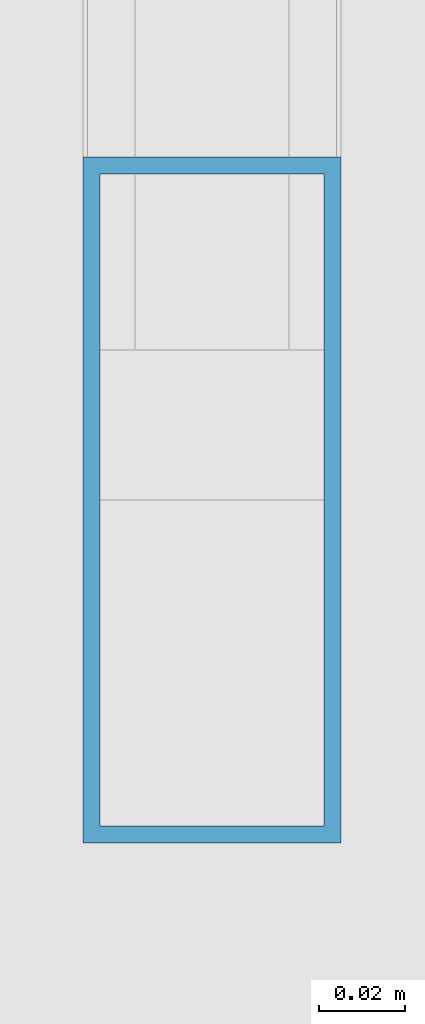
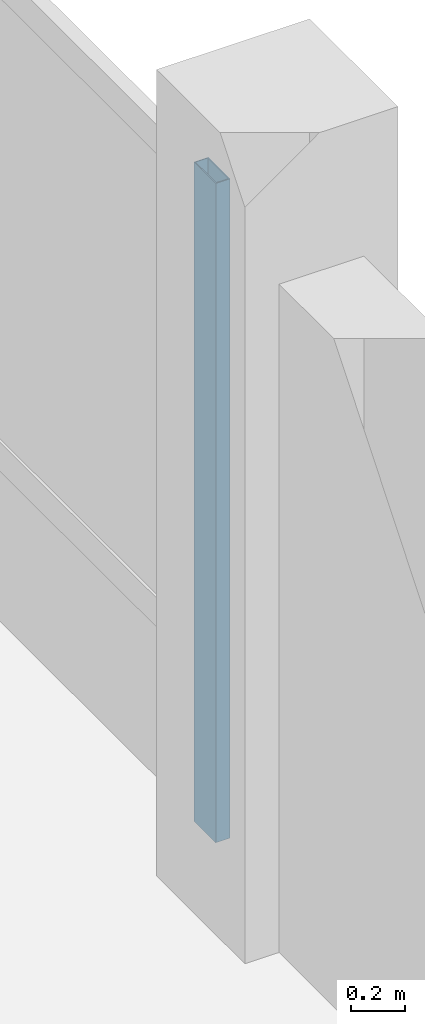
# One storey, part 5 of 93: 1 member, 1 element without a shape of its own.
"""IFC4 building model written with IfcOpenShell, lengths in metres."""

from ifc_helpers import new_model, si_unit, direction, frame, origin, origin_2d, place, context, subcontext, project, spatial, hollow_rectangle, extrude, material, material_profile, profile_set, type_object, element, aggregate, save


model = new_model("IFC4")

# Units and contexts
model_context = context("Model", 3, precision=1e-05, world=origin(), true_north=direction((0.0, 1.0)))
body_context = subcontext(model_context, "Body", "Model", "MODEL_VIEW")
ifc_project = project(units=[si_unit("LENGTHUNIT", "METRE"), si_unit("AREAUNIT", "SQUARE_METRE"), si_unit("VOLUMEUNIT", "CUBIC_METRE"), si_unit("PLANEANGLEUNIT", "RADIAN"), si_unit("MASSUNIT", "GRAM", prefix="KILO")], contexts=[model_context])

# Site, building, storey
site_placement = place(None, origin())
site = spatial("IfcSite", under=ifc_project, at=site_placement, CompositionType="ELEMENT")
building_placement = place(site_placement, origin())
building = spatial("IfcBuilding", under=site, at=building_placement, Name="Zornivar Specialist Clinic", CompositionType="ELEMENT")
storey_placement = place(building_placement, frame((0.0, 0.0, 8.39990234375)))
storey = spatial("IfcBuildingStorey", under=building, at=storey_placement, Name="L02", CompositionType="ELEMENT", Elevation=8.39990234375)

# Curtain wall, member
ifc_material_1 = material(Name="Aluminium and Low-E Glass Curtain Wall", Category="aluminium")
curtain_wall_type = type_object("IfcCurtainWallType", Name="CW-REVAK-COURT", PredefinedType="NOTDEFINED", material=ifc_material_1)
curtain_wall_placement = place(storey_placement, origin())
curtain_wall = element("IfcCurtainWall", 1, at=curtain_wall_placement, inside=storey, type_object=curtain_wall_type, Name="cw:V2:L02:16", PredefinedType="NOTDEFINED")
ifc_material_2 = material(Name="Aluminium AW-6060", Category="aluminium")
ifc_material_profile = material_profile(ifc_material_2, hollow_rectangle(XDim=0.06005859375, YDim=0.159912109375, WallThickness=0.00390625, at=origin_2d()), Name="ALU 60x160x4")
ifc_profile_set = profile_set([ifc_material_profile], Name="Aluminium AW-6060")
member_type = type_object("IfcMemberType", Name="CWM-MUL-160", PredefinedType="MULLION", material=ifc_profile_set)
member_placement = place(storey_placement, frame((14.39990234375, 29.280029296875, 0.0), z_axis=(0.0, 0.0, 1.0), x_axis=(1.0, 0.0, 0.0)))
member = element("IfcMember", 2, at=member_placement, type_object=member_type, Name="cw:V2:L02:16:mul:0", PredefinedType="MULLION", context=body_context, shape_type="SweptSolid", body=[
    extrude(hollow_rectangle(XDim=0.06005859375, YDim=0.159912109375, WallThickness=0.00390625, at=origin_2d()), origin(), (0.0, 0.0, 1.0), 2.960205078125),
])
aggregate(curtain_wall, [member])

save(model, "model.ifc")
